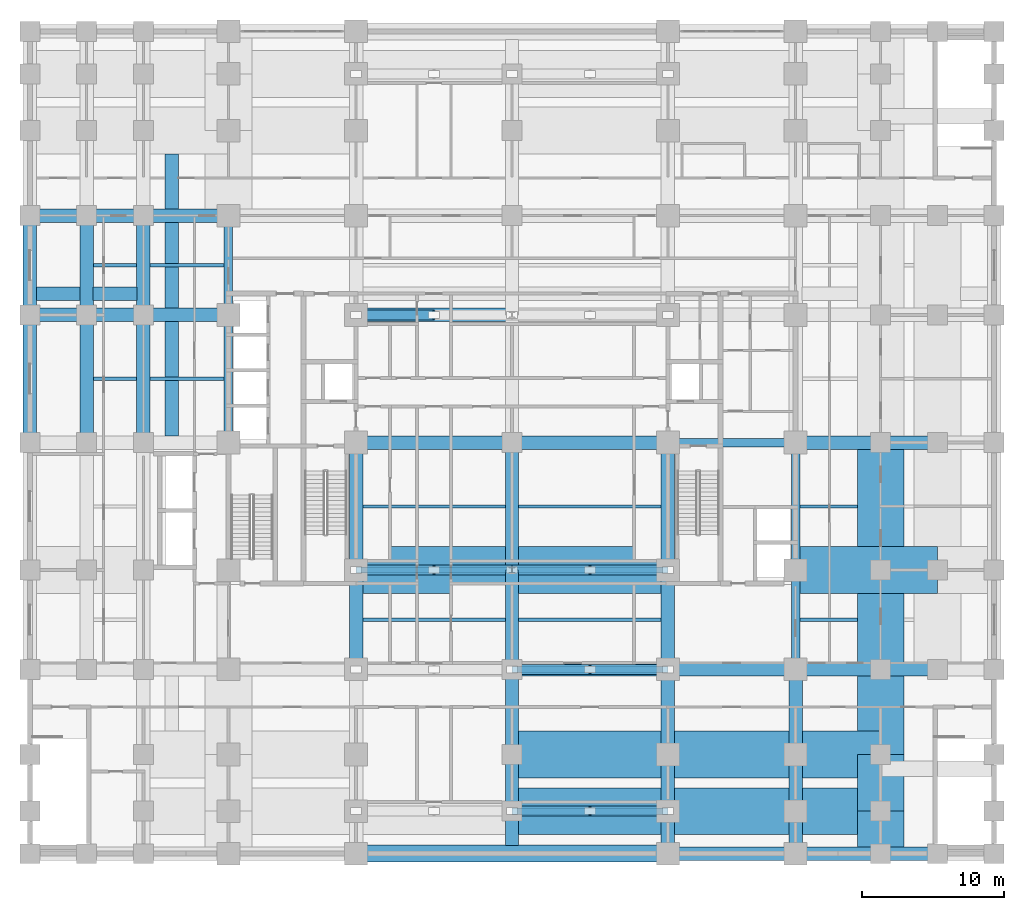
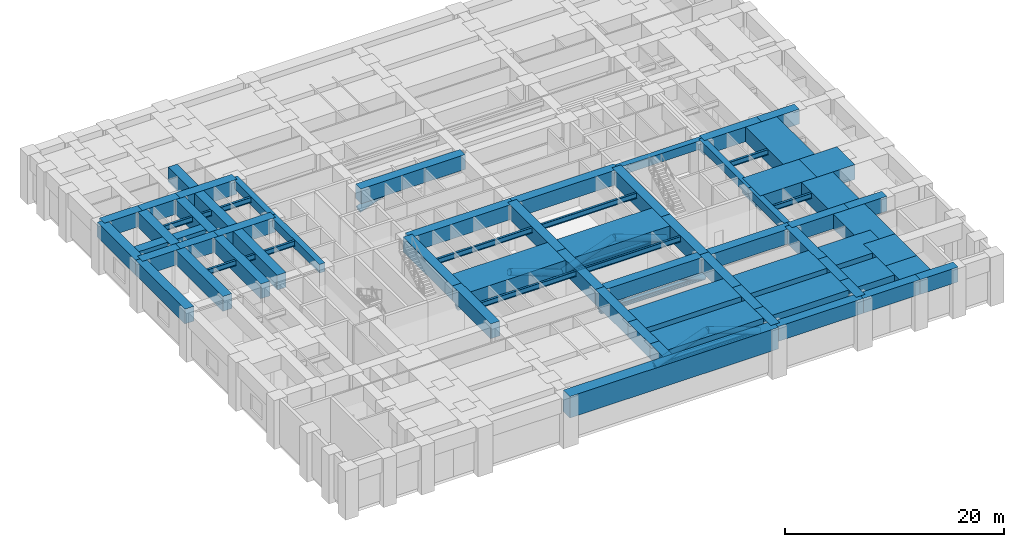
# One storey, part 2 of 22: 75 beams, 13 members.
"""IFC4 building model written with IfcOpenShell, lengths in metres."""

from ifc_helpers import new_model, si_unit, direction, frame, origin, origin_2d, place, context, subcontext, project, spatial, rectangle, hollow_circle, i_section, extrude, material, material_profile, profile_set, type_object, element, save


model = new_model("IFC4")

# Units and contexts
model_context = context("Model", 3, precision=1e-05, world=origin(), true_north=direction((0.0, 1.0)))
body_context = subcontext(model_context, "Body", "Model", "MODEL_VIEW")
ifc_project = project(units=[si_unit("LENGTHUNIT", "METRE"), si_unit("AREAUNIT", "SQUARE_METRE"), si_unit("VOLUMEUNIT", "CUBIC_METRE"), si_unit("PLANEANGLEUNIT", "RADIAN"), si_unit("MASSUNIT", "GRAM", prefix="KILO")], contexts=[model_context])

# Site, building, storey
site_placement = place(None, origin())
site = spatial("IfcSite", under=ifc_project, at=site_placement, CompositionType="ELEMENT")
building_placement = place(site_placement, origin())
building = spatial("IfcBuilding", under=site, at=building_placement, Name="Zulmaris Gate Convention Tower", CompositionType="ELEMENT")
storey_placement = place(building_placement, frame((0.0, 0.0, 21.760009765625)))
storey = spatial("IfcBuildingStorey", under=building, at=storey_placement, Name="L04", CompositionType="ELEMENT", Elevation=21.760009765625)

# Beams
ifc_material_1 = material(Name="Concrete C60/75", Category="concrete")
ifc_material_profile_1 = material_profile(ifc_material_1, rectangle(XDim=0.60009765625, YDim=0.949951171875, at=origin_2d()), Name="RC BEAM 600x950")
ifc_profile_set_1 = profile_set([ifc_material_profile_1], Name="Concrete C60/75")
beam_type_1 = type_object("IfcBeamType", Name="BM-RC600x950", PredefinedType="BEAM", material=ifc_profile_set_1)
for number, where, z_axis, x_axis, name in (
    (1, (11.0, 0.0, 4.514892578125), (1.0, 0.0, 0.0), (0.0, 1.0, 0.0), "L04 Beam BM-L04-X-+0.0-+11.0"),
    (2, (-20.0, 0.0, 4.514892578125), (0.0, 1.0, 0.0), (-1.0, 0.0, 0.0), "L04 Beam BM-L04-Y--20.0-+0.0"),
):
    element("IfcBeam", number, at=place(storey_placement, frame(where, z_axis=z_axis, x_axis=x_axis)), inside=storey, type_object=beam_type_1, Name=name, PredefinedType="BEAM", context=body_context, shape_type="SweptSolid", body=[
        extrude(rectangle(XDim=0.60009765625, YDim=0.949951171875, at=origin_2d()), origin(), (0.0, 0.0, 1.0), 9.0),
    ])
for number, where, z_axis, x_axis, name in (
    (3, (-20.0, 9.0, 4.514892578125), (0.0, 1.0, 0.0), (-1.0, 0.0, 0.0), "L04 Beam BM-L04-Y--20.0-+9.0"),
    (4, (20.0, -16.0, 4.514892578125), (0.0, 1.0, 0.0), (-1.0, 0.0, 0.0), "L04 Beam BM-L04-Y-+20.0--16.0"),
):
    element("IfcBeam", number, at=place(storey_placement, frame(where, z_axis=z_axis, x_axis=x_axis)), inside=storey, type_object=beam_type_1, Name=name, PredefinedType="BEAM", context=body_context, shape_type="SweptSolid", body=[
        extrude(rectangle(XDim=0.60009765625, YDim=0.949951171875, at=origin_2d()), origin(), (0.0, 0.0, 1.0), 7.0),
    ])
beam_1_placement = place(storey_placement, frame((20.0, -9.0, 4.514892578125), z_axis=(0.0, 1.0, 0.0), x_axis=(-1.0, 0.0, 0.0)))
element("IfcBeam", 5, at=beam_1_placement, inside=storey, type_object=beam_type_1, Name="L04 Beam BM-L04-Y-+20.0--9.0", PredefinedType="BEAM", context=body_context, shape_type="SweptSolid", body=[
    extrude(rectangle(XDim=0.60009765625, YDim=0.949951171875, at=origin_2d()), origin(), (0.0, 0.0, 1.0), 9.0),
])
ifc_material_2 = material(Name="Concrete C80/95", Category="concrete")
ifc_material_profile_2 = material_profile(ifc_material_2, rectangle(XDim=0.949951171875, YDim=1.64990234375, at=origin_2d()), Name="RC TRANSFER 950x1650")
ifc_profile_set_2 = profile_set([ifc_material_profile_2], Name="Concrete C80/95")
beam_type_2 = type_object("IfcBeamType", Name="BM-XFER1650", PredefinedType="BEAM", material=ifc_profile_set_2)
beam_2_placement = place(storey_placement, frame((11.0, -29.0, 4.1650390625), z_axis=(1.0, 0.0, 0.0), x_axis=(0.0, 1.0, 0.0)))
element("IfcBeam", 6, at=beam_2_placement, inside=storey, type_object=beam_type_2, Name="L04 Beam XFRNGX-L04--29.0-6", PredefinedType="BEAM", context=body_context, shape_type="SweptSolid", body=[
    extrude(rectangle(XDim=0.949951171875, YDim=1.64990234375, at=origin_2d()), origin(), (0.0, 0.0, 1.0), 9.0),
])
beam_3_placement = place(storey_placement, frame((20.0, -29.0, 4.1650390625), z_axis=(1.0, 0.0, 0.0), x_axis=(0.0, 1.0, 0.0)))
element("IfcBeam", 7, at=beam_3_placement, inside=storey, type_object=beam_type_2, Name="L04 Beam XFRNGX-L04--29.0-7", PredefinedType="BEAM", context=body_context, shape_type="SweptSolid", body=[
    extrude(rectangle(XDim=0.949951171875, YDim=1.64990234375, at=origin_2d()), origin(), (0.0, 0.0, 1.0), 6.0),
])
beam_4_placement = place(storey_placement, frame((26.0, -29.0, 4.1650390625), z_axis=(1.0, 0.0, 0.0), x_axis=(0.0, 1.0, 0.0)))
element("IfcBeam", 8, at=beam_4_placement, inside=storey, type_object=beam_type_2, Name="L04 Beam XFRNGX-L04--29.0-8", PredefinedType="BEAM", context=body_context, shape_type="SweptSolid", body=[
    extrude(rectangle(XDim=0.949951171875, YDim=1.64990234375, at=origin_2d()), origin(), (0.0, 0.0, 1.0), 4.0),
])
beam_5_placement = place(storey_placement, frame((-34.0, 0.0, 4.1650390625), z_axis=(0.0, 1.0, 0.0), x_axis=(-1.0, 0.0, 0.0)))
element("IfcBeam", 9, at=beam_5_placement, inside=storey, type_object=beam_type_2, Name="L04 Beam XFRNGY-L04--34.0-6", PredefinedType="BEAM", context=body_context, shape_type="SweptSolid", body=[
    extrude(rectangle(XDim=0.949951171875, YDim=1.64990234375, at=origin_2d()), origin(), (0.0, 0.0, 1.0), 9.0),
])
beam_6_placement = place(storey_placement, frame((-34.0, 9.0, 4.1650390625), z_axis=(0.0, 1.0, 0.0), x_axis=(-1.0, 0.0, 0.0)))
element("IfcBeam", 10, at=beam_6_placement, inside=storey, type_object=beam_type_2, Name="L04 Beam XFRNGY-L04--34.0-7", PredefinedType="BEAM", context=body_context, shape_type="SweptSolid", body=[
    extrude(rectangle(XDim=0.949951171875, YDim=1.64990234375, at=origin_2d()), origin(), (0.0, 0.0, 1.0), 7.0),
])
beam_7_placement = place(storey_placement, frame((-30.0, 0.0, 4.1650390625), z_axis=(0.0, 1.0, 0.0), x_axis=(-1.0, 0.0, 0.0)))
element("IfcBeam", 11, at=beam_7_placement, inside=storey, type_object=beam_type_2, Name="L04 Beam XFSPY-L04--30.0-4", PredefinedType="BEAM", context=body_context, shape_type="SweptSolid", body=[
    extrude(rectangle(XDim=0.949951171875, YDim=1.64990234375, at=origin_2d()), origin(), (0.0, 0.0, 1.0), 9.0),
])
beam_8_placement = place(storey_placement, frame((-30.0, 9.0, 4.1650390625), z_axis=(0.0, 1.0, 0.0), x_axis=(-1.0, 0.0, 0.0)))
element("IfcBeam", 12, at=beam_8_placement, inside=storey, type_object=beam_type_2, Name="L04 Beam XFSPY-L04--30.0-5", PredefinedType="BEAM", context=body_context, shape_type="SweptSolid", body=[
    extrude(rectangle(XDim=0.949951171875, YDim=1.64990234375, at=origin_2d()), origin(), (0.0, 0.0, 1.0), 7.0),
])
beam_9_placement = place(storey_placement, frame((-26.0, 0.0, 4.1650390625), z_axis=(0.0, 1.0, 0.0), x_axis=(-1.0, 0.0, 0.0)))
element("IfcBeam", 13, at=beam_9_placement, inside=storey, type_object=beam_type_2, Name="L04 Beam XFSPY-L04--26.0-6", PredefinedType="BEAM", context=body_context, shape_type="SweptSolid", body=[
    extrude(rectangle(XDim=0.949951171875, YDim=1.64990234375, at=origin_2d()), origin(), (0.0, 0.0, 1.0), 9.0),
])
for number, where, z_axis, x_axis, name in (
    (14, (-26.0, 9.0, 4.1650390625), (0.0, 1.0, 0.0), (-1.0, 0.0, 0.0), "L04 Beam XFSPY-L04--26.0-7"),
    (15, (-11.0, -16.0, 4.1650390625), (0.0, 1.0, 0.0), (-1.0, 0.0, 0.0), "L04 Beam XFSPY-L04--11.0-4"),
):
    element("IfcBeam", number, at=place(storey_placement, frame(where, z_axis=z_axis, x_axis=x_axis)), inside=storey, type_object=beam_type_2, Name=name, PredefinedType="BEAM", context=body_context, shape_type="SweptSolid", body=[
        extrude(rectangle(XDim=0.949951171875, YDim=1.64990234375, at=origin_2d()), origin(), (0.0, 0.0, 1.0), 7.0),
    ])
beam_10_placement = place(storey_placement, frame((-11.0, -9.0, 4.1650390625), z_axis=(0.0, 1.0, 0.0), x_axis=(-1.0, 0.0, 0.0)))
element("IfcBeam", 16, at=beam_10_placement, inside=storey, type_object=beam_type_2, Name="L04 Beam XFSPY-L04--11.0-5", PredefinedType="BEAM", context=body_context, shape_type="SweptSolid", body=[
    extrude(rectangle(XDim=0.949951171875, YDim=1.64990234375, at=origin_2d()), origin(), (0.0, 0.0, 1.0), 9.0),
])
beam_11_placement = place(storey_placement, frame((0.0, -28.412109375, 4.1650390625), z_axis=(0.0, 1.0, 0.0), x_axis=(-1.0, 0.0, 0.0)))
element("IfcBeam", 17, at=beam_11_placement, inside=storey, type_object=beam_type_2, Name="L04 Beam XFSPY-L04-+0.0-1", PredefinedType="BEAM", context=body_context, shape_type="SweptSolid", body=[
    extrude(rectangle(XDim=0.949951171875, YDim=1.64990234375, at=origin_2d()), origin(), (0.0, 0.0, 1.0), 2.412109375),
])
beam_12_placement = place(storey_placement, frame((0.0, -26.0, 4.1650390625), z_axis=(0.0, 1.0, 0.0), x_axis=(-1.0, 0.0, 0.0)))
element("IfcBeam", 18, at=beam_12_placement, inside=storey, type_object=beam_type_2, Name="L04 Beam XFSPY-L04-+0.0-2", PredefinedType="BEAM", context=body_context, shape_type="SweptSolid", body=[
    extrude(rectangle(XDim=0.949951171875, YDim=1.64990234375, at=origin_2d()), origin(), (0.0, 0.0, 1.0), 4.0),
])
beam_13_placement = place(storey_placement, frame((0.0, -22.0, 4.1650390625), z_axis=(0.0, 1.0, 0.0), x_axis=(-1.0, 0.0, 0.0)))
element("IfcBeam", 19, at=beam_13_placement, inside=storey, type_object=beam_type_2, Name="L04 Beam XFSPY-L04-+0.0-3", PredefinedType="BEAM", context=body_context, shape_type="SweptSolid", body=[
    extrude(rectangle(XDim=0.949951171875, YDim=1.64990234375, at=origin_2d()), origin(), (0.0, 0.0, 1.0), 6.0),
])
beam_14_placement = place(storey_placement, frame((0.0, -16.0, 4.1650390625), z_axis=(0.0, 1.0, 0.0), x_axis=(-1.0, 0.0, 0.0)))
element("IfcBeam", 20, at=beam_14_placement, inside=storey, type_object=beam_type_2, Name="L04 Beam XFSPY-L04-+0.0-4", PredefinedType="BEAM", context=body_context, shape_type="SweptSolid", body=[
    extrude(rectangle(XDim=0.949951171875, YDim=1.64990234375, at=origin_2d()), origin(), (0.0, 0.0, 1.0), 7.0),
])
beam_15_placement = place(storey_placement, frame((0.0, -9.0, 4.1650390625), z_axis=(0.0, 1.0, 0.0), x_axis=(-1.0, 0.0, 0.0)))
element("IfcBeam", 21, at=beam_15_placement, inside=storey, type_object=beam_type_2, Name="L04 Beam XFSPY-L04-+0.0-5", PredefinedType="BEAM", context=body_context, shape_type="SweptSolid", body=[
    extrude(rectangle(XDim=0.949951171875, YDim=1.64990234375, at=origin_2d()), origin(), (0.0, 0.0, 1.0), 9.0),
])
beam_16_placement = place(storey_placement, frame((11.0, -29.0, 4.1650390625), z_axis=(0.0, 1.0, 0.0), x_axis=(-1.0, 0.0, 0.0)))
element("IfcBeam", 22, at=beam_16_placement, inside=storey, type_object=beam_type_2, Name="L04 Beam XFSPY-L04-+11.0-1", PredefinedType="BEAM", context=body_context, shape_type="SweptSolid", body=[
    extrude(rectangle(XDim=0.949951171875, YDim=1.64990234375, at=origin_2d()), origin(), (0.0, 0.0, 1.0), 3.0),
])
beam_17_placement = place(storey_placement, frame((11.0, -26.0, 4.1650390625), z_axis=(0.0, 1.0, 0.0), x_axis=(-1.0, 0.0, 0.0)))
element("IfcBeam", 23, at=beam_17_placement, inside=storey, type_object=beam_type_2, Name="L04 Beam XFSPY-L04-+11.0-2", PredefinedType="BEAM", context=body_context, shape_type="SweptSolid", body=[
    extrude(rectangle(XDim=0.949951171875, YDim=1.64990234375, at=origin_2d()), origin(), (0.0, 0.0, 1.0), 4.0),
])
beam_18_placement = place(storey_placement, frame((11.0, -22.0, 4.1650390625), z_axis=(0.0, 1.0, 0.0), x_axis=(-1.0, 0.0, 0.0)))
element("IfcBeam", 24, at=beam_18_placement, inside=storey, type_object=beam_type_2, Name="L04 Beam XFSPY-L04-+11.0-3", PredefinedType="BEAM", context=body_context, shape_type="SweptSolid", body=[
    extrude(rectangle(XDim=0.949951171875, YDim=1.64990234375, at=origin_2d()), origin(), (0.0, 0.0, 1.0), 6.0),
])
beam_19_placement = place(storey_placement, frame((11.0, -16.0, 4.1650390625), z_axis=(0.0, 1.0, 0.0), x_axis=(-1.0, 0.0, 0.0)))
element("IfcBeam", 25, at=beam_19_placement, inside=storey, type_object=beam_type_2, Name="L04 Beam XFSPY-L04-+11.0-4", PredefinedType="BEAM", context=body_context, shape_type="SweptSolid", body=[
    extrude(rectangle(XDim=0.949951171875, YDim=1.64990234375, at=origin_2d()), origin(), (0.0, 0.0, 1.0), 7.0),
])
beam_20_placement = place(storey_placement, frame((11.0, -9.0, 4.1650390625), z_axis=(0.0, 1.0, 0.0), x_axis=(-1.0, 0.0, 0.0)))
element("IfcBeam", 26, at=beam_20_placement, inside=storey, type_object=beam_type_2, Name="L04 Beam XFSPY-L04-+11.0-5", PredefinedType="BEAM", context=body_context, shape_type="SweptSolid", body=[
    extrude(rectangle(XDim=0.949951171875, YDim=1.64990234375, at=origin_2d()), origin(), (0.0, 0.0, 1.0), 9.0),
])
beam_21_placement = place(storey_placement, frame((20.0, -29.0, 4.1650390625), z_axis=(0.0, 1.0, 0.0), x_axis=(-1.0, 0.0, 0.0)))
element("IfcBeam", 27, at=beam_21_placement, inside=storey, type_object=beam_type_2, Name="L04 Beam XFSPY-L04-+20.0-1", PredefinedType="BEAM", context=body_context, shape_type="SweptSolid", body=[
    extrude(rectangle(XDim=0.949951171875, YDim=1.64990234375, at=origin_2d()), origin(), (0.0, 0.0, 1.0), 3.0),
])
beam_22_placement = place(storey_placement, frame((20.0, -26.0, 4.1650390625), z_axis=(0.0, 1.0, 0.0), x_axis=(-1.0, 0.0, 0.0)))
element("IfcBeam", 28, at=beam_22_placement, inside=storey, type_object=beam_type_2, Name="L04 Beam XFSPY-L04-+20.0-2", PredefinedType="BEAM", context=body_context, shape_type="SweptSolid", body=[
    extrude(rectangle(XDim=0.949951171875, YDim=1.64990234375, at=origin_2d()), origin(), (0.0, 0.0, 1.0), 4.0),
])
beam_23_placement = place(storey_placement, frame((20.0, -22.0, 4.1650390625), z_axis=(0.0, 1.0, 0.0), x_axis=(-1.0, 0.0, 0.0)))
element("IfcBeam", 29, at=beam_23_placement, inside=storey, type_object=beam_type_2, Name="L04 Beam XFSPY-L04-+20.0-3", PredefinedType="BEAM", context=body_context, shape_type="SweptSolid", body=[
    extrude(rectangle(XDim=0.949951171875, YDim=1.64990234375, at=origin_2d()), origin(), (0.0, 0.0, 1.0), 6.0),
])
beam_24_placement = place(storey_placement, frame((0.0, -16.0, 4.1650390625), z_axis=(1.0, 0.0, 0.0), x_axis=(0.0, 1.0, 0.0)))
element("IfcBeam", 30, at=beam_24_placement, inside=storey, type_object=beam_type_2, Name="L04 Beam XFSPX-L04--16.0-6", PredefinedType="BEAM", context=body_context, shape_type="SweptSolid", body=[
    extrude(rectangle(XDim=0.949951171875, YDim=1.64990234375, at=origin_2d()), origin(), (0.0, 0.0, 1.0), 11.0),
])
beam_25_placement = place(storey_placement, frame((11.0, -16.0, 4.1650390625), z_axis=(1.0, 0.0, 0.0), x_axis=(0.0, 1.0, 0.0)))
element("IfcBeam", 31, at=beam_25_placement, inside=storey, type_object=beam_type_2, Name="L04 Beam XFSPX-L04--16.0-7", PredefinedType="BEAM", context=body_context, shape_type="SweptSolid", body=[
    extrude(rectangle(XDim=0.949951171875, YDim=1.64990234375, at=origin_2d()), origin(), (0.0, 0.0, 1.0), 9.0),
])
beam_26_placement = place(storey_placement, frame((20.0, -16.0, 4.1650390625), z_axis=(1.0, 0.0, 0.0), x_axis=(0.0, 1.0, 0.0)))
element("IfcBeam", 32, at=beam_26_placement, inside=storey, type_object=beam_type_2, Name="L04 Beam XFSPX-L04--16.0-8", PredefinedType="BEAM", context=body_context, shape_type="SweptSolid", body=[
    extrude(rectangle(XDim=0.949951171875, YDim=1.64990234375, at=origin_2d()), origin(), (0.0, 0.0, 1.0), 6.0),
])
beam_27_placement = place(storey_placement, frame((26.0, -16.0, 4.1650390625), z_axis=(1.0, 0.0, 0.0), x_axis=(0.0, 1.0, 0.0)))
element("IfcBeam", 33, at=beam_27_placement, inside=storey, type_object=beam_type_2, Name="L04 Beam XFSPX-L04--16.0-9", PredefinedType="BEAM", context=body_context, shape_type="SweptSolid", body=[
    extrude(rectangle(XDim=0.949951171875, YDim=1.64990234375, at=origin_2d()), origin(), (0.0, 0.0, 1.0), 4.0),
])
for number, where, z_axis, x_axis, name in (
    (34, (-11.0, 0.0, 4.1650390625), (1.0, 0.0, 0.0), (0.0, 1.0, 0.0), "L04 Beam XFSPX-L04-+0.0-5"),
    (35, (0.0, 0.0, 4.1650390625), (1.0, 0.0, 0.0), (0.0, 1.0, 0.0), "L04 Beam XFSPX-L04-+0.0-6"),
):
    element("IfcBeam", number, at=place(storey_placement, frame(where, z_axis=z_axis, x_axis=x_axis)), inside=storey, type_object=beam_type_2, Name=name, PredefinedType="BEAM", context=body_context, shape_type="SweptSolid", body=[
        extrude(rectangle(XDim=0.949951171875, YDim=1.64990234375, at=origin_2d()), origin(), (0.0, 0.0, 1.0), 11.0),
    ])
beam_28_placement = place(storey_placement, frame((20.0, 0.0, 4.1650390625), z_axis=(1.0, 0.0, 0.0), x_axis=(0.0, 1.0, 0.0)))
element("IfcBeam", 36, at=beam_28_placement, inside=storey, type_object=beam_type_2, Name="L04 Beam XFSPX-L04-+0.0-8", PredefinedType="BEAM", context=body_context, shape_type="SweptSolid", body=[
    extrude(rectangle(XDim=0.949951171875, YDim=1.64990234375, at=origin_2d()), origin(), (0.0, 0.0, 1.0), 6.0),
])
for number, where, z_axis, x_axis, name in (
    (37, (26.0, 0.0, 4.1650390625), (1.0, 0.0, 0.0), (0.0, 1.0, 0.0), "L04 Beam XFSPX-L04-+0.0-9"),
    (38, (-34.0, 9.0, 4.1650390625), (1.0, 0.0, 0.0), (0.0, 1.0, 0.0), "L04 Beam XFSPX-L04-+9.0-1"),
    (39, (-30.0, 9.0, 4.1650390625), (1.0, 0.0, 0.0), (0.0, 1.0, 0.0), "L04 Beam XFSPX-L04-+9.0-2"),
):
    element("IfcBeam", number, at=place(storey_placement, frame(where, z_axis=z_axis, x_axis=x_axis)), inside=storey, type_object=beam_type_2, Name=name, PredefinedType="BEAM", context=body_context, shape_type="SweptSolid", body=[
        extrude(rectangle(XDim=0.949951171875, YDim=1.64990234375, at=origin_2d()), origin(), (0.0, 0.0, 1.0), 4.0),
    ])
beam_29_placement = place(storey_placement, frame((-26.0, 9.0, 4.1650390625), z_axis=(1.0, 0.0, 0.0), x_axis=(0.0, 1.0, 0.0)))
element("IfcBeam", 40, at=beam_29_placement, inside=storey, type_object=beam_type_2, Name="L04 Beam XFSPX-L04-+9.0-3", PredefinedType="BEAM", context=body_context, shape_type="SweptSolid", body=[
    extrude(rectangle(XDim=0.949951171875, YDim=1.64990234375, at=origin_2d()), origin(), (0.0, 0.0, 1.0), 6.0),
])
beam_30_placement = place(storey_placement, frame((-11.0, 9.0, 4.1650390625), z_axis=(1.0, 0.0, 0.0), x_axis=(0.0, 1.0, 0.0)))
element("IfcBeam", 41, at=beam_30_placement, inside=storey, type_object=beam_type_2, Name="L04 Beam XFSPX-L04-+9.0-5", PredefinedType="BEAM", context=body_context, shape_type="SweptSolid", body=[
    extrude(rectangle(XDim=0.949951171875, YDim=1.64990234375, at=origin_2d()), origin(), (0.0, 0.0, 1.0), 11.0),
])
for number, where, z_axis, x_axis, name in (
    (42, (-34.0, 16.0, 4.1650390625), (1.0, 0.0, 0.0), (0.0, 1.0, 0.0), "L04 Beam XFSPX-L04-+16.0-1"),
    (43, (-30.0, 16.0, 4.1650390625), (1.0, 0.0, 0.0), (0.0, 1.0, 0.0), "L04 Beam XFSPX-L04-+16.0-2"),
):
    element("IfcBeam", number, at=place(storey_placement, frame(where, z_axis=z_axis, x_axis=x_axis)), inside=storey, type_object=beam_type_2, Name=name, PredefinedType="BEAM", context=body_context, shape_type="SweptSolid", body=[
        extrude(rectangle(XDim=0.949951171875, YDim=1.64990234375, at=origin_2d()), origin(), (0.0, 0.0, 1.0), 4.0),
    ])
beam_31_placement = place(storey_placement, frame((-26.0, 16.0, 4.1650390625), z_axis=(1.0, 0.0, 0.0), x_axis=(0.0, 1.0, 0.0)))
element("IfcBeam", 44, at=beam_31_placement, inside=storey, type_object=beam_type_2, Name="L04 Beam XFSPX-L04-+16.0-3", PredefinedType="BEAM", context=body_context, shape_type="SweptSolid", body=[
    extrude(rectangle(XDim=0.949951171875, YDim=1.64990234375, at=origin_2d()), origin(), (0.0, 0.0, 1.0), 6.0),
])
for number, where, z_axis, x_axis, name in (
    (45, (-33.537109375, 10.5, 4.1650390625), (1.0, 0.0, 0.0), (0.0, 1.0, 0.0), "L04 Beam XFERX-L04-+10.50-1"),
    (46, (-29.537109375, 10.5, 4.1650390625), (1.0, 0.0, 0.0), (0.0, 1.0, 0.0), "L04 Beam XFERX-L04-+10.50-2"),
):
    element("IfcBeam", number, at=place(storey_placement, frame(where, z_axis=z_axis, x_axis=x_axis)), inside=storey, type_object=beam_type_2, Name=name, PredefinedType="BEAM", context=body_context, shape_type="SweptSolid", body=[
        extrude(rectangle(XDim=0.949951171875, YDim=1.64990234375, at=origin_2d()), origin(), (0.0, 0.0, 1.0), 3.07421875),
    ])
beam_32_placement = place(storey_placement, frame((-24.0, 0.462890625, 4.1650390625), z_axis=(0.0, 1.0, 0.0), x_axis=(-1.0, 0.0, 0.0)))
element("IfcBeam", 47, at=beam_32_placement, inside=storey, type_object=beam_type_2, Name="L04 Beam XFERY-L04--24.00-5", PredefinedType="BEAM", context=body_context, shape_type="SweptSolid", body=[
    extrude(rectangle(XDim=0.949951171875, YDim=1.64990234375, at=origin_2d()), origin(), (0.0, 0.0, 1.0), 8.07421875),
])
beam_33_placement = place(storey_placement, frame((-24.0, 9.462890625, 4.1650390625), z_axis=(0.0, 1.0, 0.0), x_axis=(-1.0, 0.0, 0.0)))
element("IfcBeam", 48, at=beam_33_placement, inside=storey, type_object=beam_type_2, Name="L04 Beam XFERY-L04--24.00-6", PredefinedType="BEAM", context=body_context, shape_type="SweptSolid", body=[
    extrude(rectangle(XDim=0.949951171875, YDim=1.64990234375, at=origin_2d()), origin(), (0.0, 0.0, 1.0), 6.07421875),
])
beam_34_placement = place(storey_placement, frame((-24.0, 16.462890625, 4.1650390625), z_axis=(0.0, 1.0, 0.0), x_axis=(-1.0, 0.0, 0.0)))
element("IfcBeam", 49, at=beam_34_placement, inside=storey, type_object=beam_type_2, Name="L04 Beam XFERY-L04--24.00-7", PredefinedType="BEAM", context=body_context, shape_type="SweptSolid", body=[
    extrude(rectangle(XDim=0.949951171875, YDim=1.64990234375, at=origin_2d()), origin(), (0.0, 0.0, 1.0), 3.899169921875),
])
ifc_material_profile_3 = material_profile(ifc_material_2, rectangle(XDim=1.199951171875, YDim=2.39990234375, at=origin_2d()), Name="RC TRANSFER 1200x2400")
ifc_profile_set_3 = profile_set([ifc_material_profile_3], Name="Concrete C80/95")
beam_type_3 = type_object("IfcBeamType", Name="BM-XFER2400", PredefinedType="BEAM", material=ifc_profile_set_3)
beam_35_placement = place(storey_placement, frame((-11.0, -29.0, 3.7900390625), z_axis=(1.0, 0.0, 0.0), x_axis=(0.0, 1.0, 0.0)))
element("IfcBeam", 50, at=beam_35_placement, inside=storey, type_object=beam_type_3, Name="L04 Beam XFRNGX-L04--29.0-5", PredefinedType="BEAM", context=body_context, shape_type="SweptSolid", body=[
    extrude(rectangle(XDim=1.199951171875, YDim=2.39990234375, at=origin_2d()), origin(), (0.0, 0.0, 1.0), 22.0),
])
ifc_material_profile_4 = material_profile(ifc_material_2, rectangle(XDim=3.300048828125, YDim=1.64990234375, at=origin_2d()), Name="RC TRANSFER 3300x1650")
ifc_profile_set_4 = profile_set([ifc_material_profile_4], Name="Concrete C80/95")
beam_type_4 = type_object("IfcBeamType", Name="BM-XFERCAP", PredefinedType="BEAM", material=ifc_profile_set_4)
beam_36_placement = place(storey_placement, frame((26.0, -29.0, 4.1650390625), z_axis=(0.0, 1.0, 0.0), x_axis=(-1.0, 0.0, 0.0)))
element("IfcBeam", 51, at=beam_36_placement, inside=storey, type_object=beam_type_4, Name="L04 Beam XFSPY-L04-+26.0-1", PredefinedType="BEAM", context=body_context, shape_type="SweptSolid", body=[
    extrude(rectangle(XDim=3.300048828125, YDim=1.64990234375, at=origin_2d()), origin(), (0.0, 0.0, 1.0), 3.0),
])
beam_37_placement = place(storey_placement, frame((26.0, -26.0, 4.1650390625), z_axis=(0.0, 1.0, 0.0), x_axis=(-1.0, 0.0, 0.0)))
element("IfcBeam", 52, at=beam_37_placement, inside=storey, type_object=beam_type_4, Name="L04 Beam XFSPY-L04-+26.0-2", PredefinedType="BEAM", context=body_context, shape_type="SweptSolid", body=[
    extrude(rectangle(XDim=3.300048828125, YDim=1.64990234375, at=origin_2d()), origin(), (0.0, 0.0, 1.0), 4.0),
])
beam_38_placement = place(storey_placement, frame((26.0, -22.0, 4.1650390625), z_axis=(0.0, 1.0, 0.0), x_axis=(-1.0, 0.0, 0.0)))
element("IfcBeam", 53, at=beam_38_placement, inside=storey, type_object=beam_type_4, Name="L04 Beam XFSPY-L04-+26.0-3", PredefinedType="BEAM", context=body_context, shape_type="SweptSolid", body=[
    extrude(rectangle(XDim=3.300048828125, YDim=1.64990234375, at=origin_2d()), origin(), (0.0, 0.0, 1.0), 6.0),
])
beam_39_placement = place(storey_placement, frame((26.0, -16.0, 4.1650390625), z_axis=(0.0, 1.0, 0.0), x_axis=(-1.0, 0.0, 0.0)))
element("IfcBeam", 54, at=beam_39_placement, inside=storey, type_object=beam_type_4, Name="L04 Beam XFSPY-L04-+26.0-4", PredefinedType="BEAM", context=body_context, shape_type="SweptSolid", body=[
    extrude(rectangle(XDim=3.300048828125, YDim=1.64990234375, at=origin_2d()), origin(), (0.0, 0.0, 1.0), 7.0),
])
beam_40_placement = place(storey_placement, frame((26.0, -9.0, 4.1650390625), z_axis=(0.0, 1.0, 0.0), x_axis=(-1.0, 0.0, 0.0)))
element("IfcBeam", 55, at=beam_40_placement, inside=storey, type_object=beam_type_4, Name="L04 Beam XFSPY-L04-+26.0-5", PredefinedType="BEAM", context=body_context, shape_type="SweptSolid", body=[
    extrude(rectangle(XDim=3.300048828125, YDim=1.64990234375, at=origin_2d()), origin(), (0.0, 0.0, 1.0), 9.0),
])
beam_41_placement = place(storey_placement, frame((0.0, -26.0, 4.1650390625), z_axis=(1.0, 0.0, 0.0), x_axis=(0.0, 1.0, 0.0)))
element("IfcBeam", 56, at=beam_41_placement, inside=storey, type_object=beam_type_4, Name="L04 Beam XFSPX-L04--26.0-5", PredefinedType="BEAM", context=body_context, shape_type="SweptSolid", body=[
    extrude(rectangle(XDim=3.300048828125, YDim=1.64990234375, at=origin_2d()), origin(), (0.0, 0.0, 1.0), 11.0),
])
beam_42_placement = place(storey_placement, frame((11.0, -26.0, 4.1650390625), z_axis=(1.0, 0.0, 0.0), x_axis=(0.0, 1.0, 0.0)))
element("IfcBeam", 57, at=beam_42_placement, inside=storey, type_object=beam_type_4, Name="L04 Beam XFSPX-L04--26.0-6", PredefinedType="BEAM", context=body_context, shape_type="SweptSolid", body=[
    extrude(rectangle(XDim=3.300048828125, YDim=1.64990234375, at=origin_2d()), origin(), (0.0, 0.0, 1.0), 9.0),
])
beam_43_placement = place(storey_placement, frame((20.0, -26.0, 4.1650390625), z_axis=(1.0, 0.0, 0.0), x_axis=(0.0, 1.0, 0.0)))
element("IfcBeam", 58, at=beam_43_placement, inside=storey, type_object=beam_type_4, Name="L04 Beam XFSPX-L04--26.0-7", PredefinedType="BEAM", context=body_context, shape_type="SweptSolid", body=[
    extrude(rectangle(XDim=3.300048828125, YDim=1.64990234375, at=origin_2d()), origin(), (0.0, 0.0, 1.0), 6.0),
])
beam_44_placement = place(storey_placement, frame((0.0, -22.0, 4.1650390625), z_axis=(1.0, 0.0, 0.0), x_axis=(0.0, 1.0, 0.0)))
element("IfcBeam", 59, at=beam_44_placement, inside=storey, type_object=beam_type_4, Name="L04 Beam XFSPX-L04--22.0-5", PredefinedType="BEAM", context=body_context, shape_type="SweptSolid", body=[
    extrude(rectangle(XDim=3.300048828125, YDim=1.64990234375, at=origin_2d()), origin(), (0.0, 0.0, 1.0), 11.0),
])
beam_45_placement = place(storey_placement, frame((11.0, -22.0, 4.1650390625), z_axis=(1.0, 0.0, 0.0), x_axis=(0.0, 1.0, 0.0)))
element("IfcBeam", 60, at=beam_45_placement, inside=storey, type_object=beam_type_4, Name="L04 Beam XFSPX-L04--22.0-6", PredefinedType="BEAM", context=body_context, shape_type="SweptSolid", body=[
    extrude(rectangle(XDim=3.300048828125, YDim=1.64990234375, at=origin_2d()), origin(), (0.0, 0.0, 1.0), 9.0),
])
beam_46_placement = place(storey_placement, frame((20.0, -22.0, 4.1650390625), z_axis=(1.0, 0.0, 0.0), x_axis=(0.0, 1.0, 0.0)))
element("IfcBeam", 61, at=beam_46_placement, inside=storey, type_object=beam_type_4, Name="L04 Beam XFSPX-L04--22.0-7", PredefinedType="BEAM", context=body_context, shape_type="SweptSolid", body=[
    extrude(rectangle(XDim=3.300048828125, YDim=1.64990234375, at=origin_2d()), origin(), (0.0, 0.0, 1.0), 6.0),
])
for number, where, z_axis, x_axis, name in (
    (62, (-11.0, -9.0, 4.1650390625), (1.0, 0.0, 0.0), (0.0, 1.0, 0.0), "L04 Beam XFSPX-L04--9.0-5"),
    (63, (0.0, -9.0, 4.1650390625), (1.0, 0.0, 0.0), (0.0, 1.0, 0.0), "L04 Beam XFSPX-L04--9.0-6"),
):
    element("IfcBeam", number, at=place(storey_placement, frame(where, z_axis=z_axis, x_axis=x_axis)), inside=storey, type_object=beam_type_4, Name=name, PredefinedType="BEAM", context=body_context, shape_type="SweptSolid", body=[
        extrude(rectangle(XDim=3.300048828125, YDim=1.64990234375, at=origin_2d()), origin(), (0.0, 0.0, 1.0), 11.0),
    ])
beam_47_placement = place(storey_placement, frame((20.0, -9.0, 4.1650390625), z_axis=(1.0, 0.0, 0.0), x_axis=(0.0, 1.0, 0.0)))
element("IfcBeam", 64, at=beam_47_placement, inside=storey, type_object=beam_type_4, Name="L04 Beam XFSPX-L04--9.0-8", PredefinedType="BEAM", context=body_context, shape_type="SweptSolid", body=[
    extrude(rectangle(XDim=3.300048828125, YDim=1.64990234375, at=origin_2d()), origin(), (0.0, 0.0, 1.0), 6.0),
])
beam_48_placement = place(storey_placement, frame((26.0, -9.0, 4.1650390625), z_axis=(1.0, 0.0, 0.0), x_axis=(0.0, 1.0, 0.0)))
element("IfcBeam", 65, at=beam_48_placement, inside=storey, type_object=beam_type_4, Name="L04 Beam XFSPX-L04--9.0-9", PredefinedType="BEAM", context=body_context, shape_type="SweptSolid", body=[
    extrude(rectangle(XDim=3.300048828125, YDim=1.64990234375, at=origin_2d()), origin(), (0.0, 0.0, 1.0), 4.0),
])

# Members
ifc_material_3 = material(Name="Steel S460", Category="steel")
ifc_material_profile_5 = material_profile(ifc_material_3, hollow_circle(Radius=0.35546875, WallThickness=0.035888671875, at=origin_2d()), Name="CHS 711x36")
ifc_profile_set_5 = profile_set([ifc_material_profile_5], Name="Steel S460")
member_type_1 = type_object("IfcMemberType", Name="BR-CHS711", PredefinedType="BRACE", material=ifc_profile_set_5)
for number, where, z_axis, x_axis, name in (
    (66, (0.0, -26.0, 2.449951171875), (0.940341848935, 0.0, 0.340231108428), (0.0, 1.0, 0.0), "L04 Pishtaq Transfer Truss Diagonal -26-D3"),
    (67, (5.5, -26.0, 4.43994140625), (0.940341848935, 0.0, -0.340231108428), (0.0, 1.0, 0.0), "L04 Pishtaq Transfer Truss Diagonal -26-D4"),
    (68, (0.0, -16.0, 2.449951171875), (0.940341848935, 0.0, 0.340231108428), (0.0, 1.0, 0.0), "L04 Pishtaq Transfer Truss Diagonal -16-D3"),
    (69, (5.5, -16.0, 4.43994140625), (0.940341848935, 0.0, -0.340231108428), (0.0, 1.0, 0.0), "L04 Pishtaq Transfer Truss Diagonal -16-D4"),
    (70, (-11.0, -9.0, 2.449951171875), (0.940341848935, 0.0, 0.340231108428), (0.0, 1.0, 0.0), "L04 Pishtaq Transfer Truss Diagonal -9-D1"),
    (71, (-5.5, -9.0, 4.43994140625), (0.940341848935, 0.0, -0.340231108428), (0.0, 1.0, 0.0), "L04 Pishtaq Transfer Truss Diagonal -9-D2"),
    (72, (0.0, -9.0, 2.449951171875), (0.940341848935, 0.0, 0.340231108428), (0.0, 1.0, 0.0), "L04 Pishtaq Transfer Truss Diagonal -9-D3"),
    (73, (5.5, -9.0, 4.43994140625), (0.940341848935, 0.0, -0.340231108428), (0.0, 1.0, 0.0), "L04 Pishtaq Transfer Truss Diagonal -9-D4"),
    (74, (-11.0, 9.0, 2.449951171875), (0.940341848935, 0.0, 0.340231108428), (0.0, 1.0, 0.0), "L04 Pishtaq Transfer Truss Diagonal +9-D1"),
):
    element("IfcMember", number, at=place(storey_placement, frame(where, z_axis=z_axis, x_axis=x_axis)), inside=storey, type_object=member_type_1, Name=name, PredefinedType="BRACE", context=body_context, shape_type="SweptSolid", body=[
        extrude(hollow_circle(Radius=0.35546875, WallThickness=0.035888671875, at=origin_2d()), origin(), (0.0, 0.0, 1.0), 5.848876953125),
    ])
ifc_material_profile_6 = material_profile(ifc_material_3, i_section(OverallWidth=0.43701171875, OverallDepth=0.513916015625, WebThickness=0.060546875, FlangeThickness=0.096923828125, FilletRadius=0.014892578125, at=origin_2d()), Name="HD 400x818")
ifc_profile_set_6 = profile_set([ifc_material_profile_6], Name="Steel S460")
member_type_2 = type_object("IfcMemberType", Name="CH-HD818", PredefinedType="CHORD", material=ifc_profile_set_6)
for number, where, z_axis, x_axis, name in (
    (75, (0.0, -26.0, 2.449951171875), (1.0, 0.0, 0.0), (0.0, 1.0, 0.0), "L04 Pishtaq Transfer Truss Bottom Chord -26-2"),
    (76, (0.0, -16.0, 2.449951171875), (1.0, 0.0, 0.0), (0.0, 1.0, 0.0), "L04 Pishtaq Transfer Truss Bottom Chord -16-2"),
    (77, (-11.0, -9.0, 2.449951171875), (1.0, 0.0, 0.0), (0.0, 1.0, 0.0), "L04 Pishtaq Transfer Truss Bottom Chord -9-1"),
    (78, (0.0, -9.0, 2.449951171875), (1.0, 0.0, 0.0), (0.0, 1.0, 0.0), "L04 Pishtaq Transfer Truss Bottom Chord -9-2"),
):
    element("IfcMember", number, at=place(storey_placement, frame(where, z_axis=z_axis, x_axis=x_axis)), inside=storey, type_object=member_type_2, Name=name, PredefinedType="CHORD", context=body_context, shape_type="SweptSolid", body=[
        extrude(i_section(OverallWidth=0.43701171875, OverallDepth=0.513916015625, WebThickness=0.060546875, FlangeThickness=0.096923828125, FilletRadius=0.014892578125, at=origin_2d()), origin(), (0.0, 0.0, 1.0), 11.0),
    ])

# Beams
ifc_material_4 = material(Name="Steel S355", Category="steel")
ifc_material_profile_7 = material_profile(ifc_material_4, i_section(OverallWidth=0.219970703125, OverallDepth=0.60009765625, WebThickness=0.011962890625, FlangeThickness=0.01904296875, FilletRadius=0.02392578125, at=origin_2d()), Name="IPE 600")
ifc_profile_set_7 = profile_set([ifc_material_profile_7], Name="Steel S355")
beam_type_5 = type_object("IfcBeamType", Name="JT-IPE600", PredefinedType="JOIST", material=ifc_profile_set_7)
for number, where, z_axis, x_axis, name in (
    (79, (-29.52490234375, 4.5, 4.68994140625), (1.0, 0.0, 0.0), (0.0, 1.0, 0.0), "L04 Joist JT-L04--30_-26-+4.5"),
    (80, (-29.52490234375, 12.5, 4.68994140625), (1.0, 0.0, 0.0), (0.0, 1.0, 0.0), "L04 Joist JT-L04--30_-26-+12.5"),
):
    element("IfcBeam", number, at=place(storey_placement, frame(where, z_axis=z_axis, x_axis=x_axis)), inside=storey, type_object=beam_type_5, Name=name, PredefinedType="JOIST", context=body_context, shape_type="SweptSolid", body=[
        extrude(i_section(OverallWidth=0.219970703125, OverallDepth=0.60009765625, WebThickness=0.011962890625, FlangeThickness=0.01904296875, FilletRadius=0.02392578125, at=origin_2d()), origin(), (0.0, 0.0, 1.0), 3.0498046875),
    ])
for number, where, z_axis, x_axis, name in (
    (81, (-25.52490234375, 4.5, 4.68798828125), (1.0, 0.0, 0.0), (0.0, 1.0, 0.0), "L04 Joist JT-L04--26_-20-+4.5"),
    (82, (-25.52490234375, 12.5, 4.68798828125), (1.0, 0.0, 0.0), (0.0, 1.0, 0.0), "L04 Joist JT-L04--26_-20-+12.5"),
):
    element("IfcBeam", number, at=place(storey_placement, frame(where, z_axis=z_axis, x_axis=x_axis)), inside=storey, type_object=beam_type_5, Name=name, PredefinedType="JOIST", context=body_context, shape_type="SweptSolid", body=[
        extrude(i_section(OverallWidth=0.219970703125, OverallDepth=0.60009765625, WebThickness=0.011962890625, FlangeThickness=0.01904296875, FilletRadius=0.02392578125, at=origin_2d()), origin(), (0.0, 0.0, 1.0), 5.224853515625),
    ])
for number, where, z_axis, x_axis, name in (
    (83, (-10.52490234375, -12.5, 4.68798828125), (1.0, 0.0, 0.0), (0.0, 1.0, 0.0), "L04 Joist JT-L04--11_+0--12.5"),
    (84, (-10.52490234375, -4.5, 4.68798828125), (1.0, 0.0, 0.0), (0.0, 1.0, 0.0), "L04 Joist JT-L04--11_+0--4.5"),
    (85, (0.47509765625, -12.5, 4.68798828125), (1.0, 0.0, 0.0), (0.0, 1.0, 0.0), "L04 Joist JT-L04-+0_+11--12.5"),
    (86, (0.47509765625, -4.5, 4.68798828125), (1.0, 0.0, 0.0), (0.0, 1.0, 0.0), "L04 Joist JT-L04-+0_+11--4.5"),
):
    element("IfcBeam", number, at=place(storey_placement, frame(where, z_axis=z_axis, x_axis=x_axis)), inside=storey, type_object=beam_type_5, Name=name, PredefinedType="JOIST", context=body_context, shape_type="SweptSolid", body=[
        extrude(i_section(OverallWidth=0.219970703125, OverallDepth=0.60009765625, WebThickness=0.011962890625, FlangeThickness=0.01904296875, FilletRadius=0.02392578125, at=origin_2d()), origin(), (0.0, 0.0, 1.0), 10.0498046875),
    ])
for number, where, z_axis, x_axis, name in (
    (87, (20.300048828125, -12.5, 4.68798828125), (1.0, 0.0, 0.0), (0.0, 1.0, 0.0), "L04 Joist JT-L04-+20_+26--12.5"),
    (88, (20.300048828125, -4.5, 4.68798828125), (1.0, 0.0, 0.0), (0.0, 1.0, 0.0), "L04 Joist JT-L04-+20_+26--4.5"),
):
    element("IfcBeam", number, at=place(storey_placement, frame(where, z_axis=z_axis, x_axis=x_axis)), inside=storey, type_object=beam_type_5, Name=name, PredefinedType="JOIST", context=body_context, shape_type="SweptSolid", body=[
        extrude(i_section(OverallWidth=0.219970703125, OverallDepth=0.60009765625, WebThickness=0.011962890625, FlangeThickness=0.01904296875, FilletRadius=0.02392578125, at=origin_2d()), origin(), (0.0, 0.0, 1.0), 4.050048828125),
    ])

save(model, "model.ifc")
